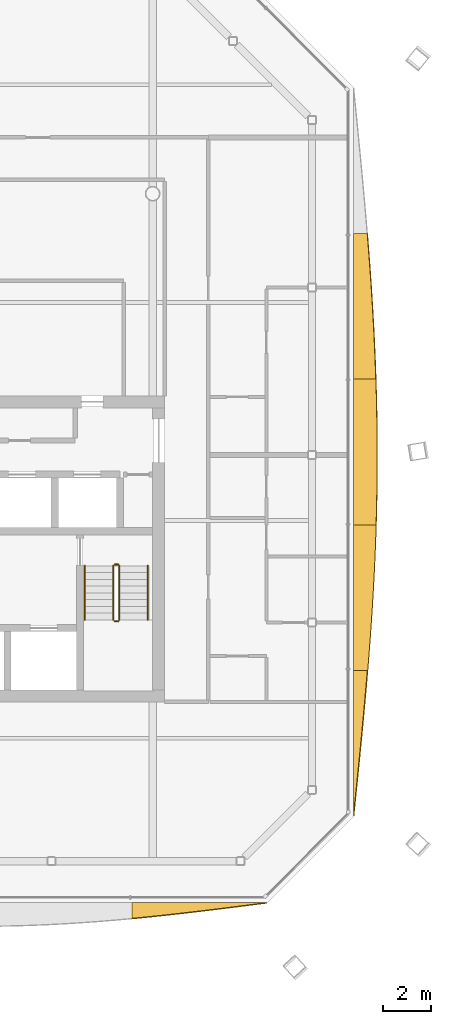
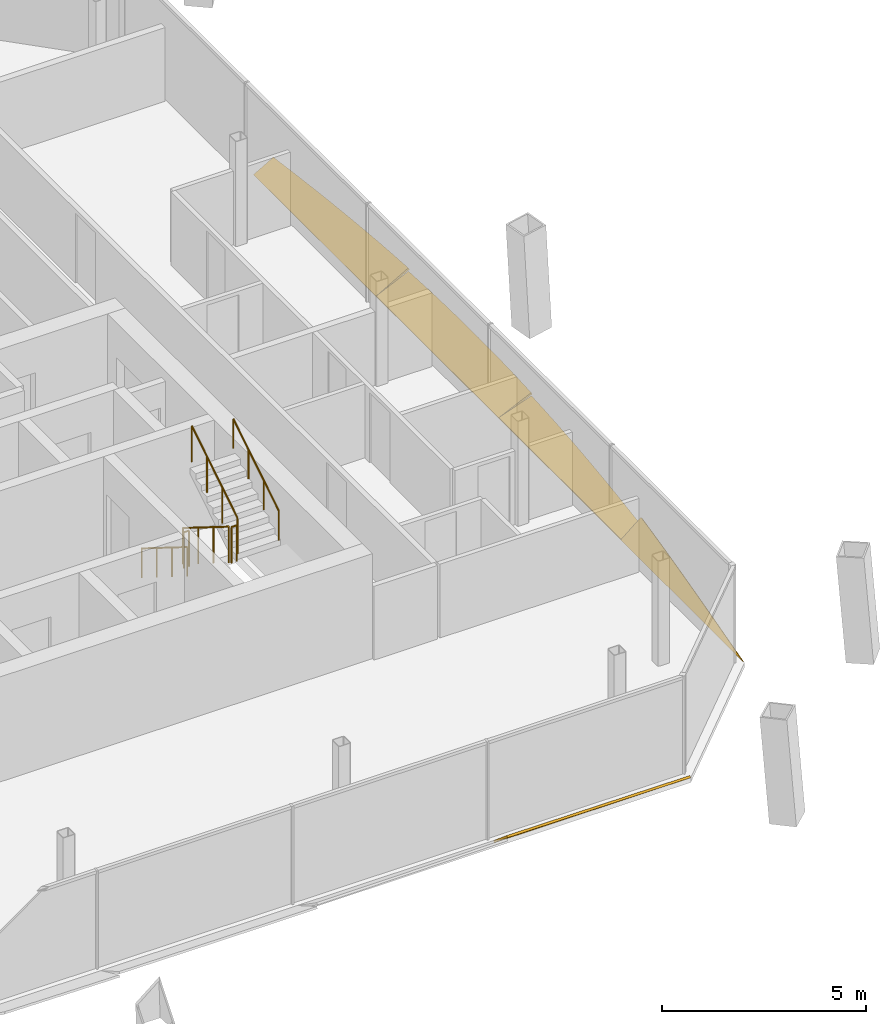
# One storey, part 19 of 20: 6 railings, 5 shading devices.
"""IFC4 building model written with IfcOpenShell, lengths in metres."""

from ifc_helpers import new_model, si_unit, direction, frame, origin, origin_2d, place, context, subcontext, project, spatial, polyline, circle, outline, extrude, material, layer, layer_set, type_object, element, save


model = new_model("IFC4")

# Units and contexts
model_context = context("Model", 3, precision=1e-05, world=origin(), true_north=direction((0.0, 1.0)))
body_context = subcontext(model_context, "Body", "Model", "MODEL_VIEW")
ifc_project = project(units=[si_unit("LENGTHUNIT", "METRE"), si_unit("AREAUNIT", "SQUARE_METRE"), si_unit("VOLUMEUNIT", "CUBIC_METRE"), si_unit("PLANEANGLEUNIT", "RADIAN"), si_unit("MASSUNIT", "GRAM", prefix="KILO")], contexts=[model_context])

# Site, building, storey
site_placement = place(None, origin())
site = spatial("IfcSite", under=ifc_project, at=site_placement, CompositionType="ELEMENT")
building_placement = place(site_placement, origin())
building = spatial("IfcBuilding", under=site, at=building_placement, Name="Tskaro Facet Tower", CompositionType="ELEMENT")
storey_placement = place(building_placement, frame((0.0, 0.0, 194.25)))
storey = spatial("IfcBuildingStorey", under=building, at=storey_placement, Name="L49", CompositionType="ELEMENT", Elevation=194.25)

# Shading devices
ifc_material_1 = material(Name="Bronze anodised aluminium 6063-T6", Category="aluminium")
ifc_layer = layer(ifc_material_1, 0.06005859375, Name="Bronze anodised aluminium 6063-T6")
ifc_layer_set = layer_set([ifc_layer], Name="Bronze anodised aluminium 6063-T6")
shading_device_type = type_object("IfcShadingDeviceType", Name="Bronze sun blade (FN1)", PredefinedType="USERDEFINED", material=ifc_layer_set)
shading_device_1_placement = place(storey_placement, frame((8.14794921875, -20.29150390625, 0.0458984375), z_axis=(-1.6083791e-05, 0.64297627639, 0.76588609319), x_axis=(0.999999999871, 1.0341496e-05, 1.2318352e-05)))
element("IfcShadingDevice", 1, at=shading_device_1_placement, inside=storey, type_object=shading_device_type, Name="Fin blade south 6", ObjectType="FIN", PredefinedType="USERDEFINED", context=body_context, shape_type="SweptSolid", body=[
    extrude(outline(polyline([(0.0, 0.0), (5.573974608654039, 9.442680282599087e-21), (4.877197266241991, -0.1160969918354), (4.180664060482241, -0.23134908596181653), (3.4838867197413363, -0.34466438620177986), (2.787109374656754, -0.4548840415863099), (2.090332032802834, -0.5614471003869238), (1.393554684192081, -0.6631947116346415), (0.6967773444558036, -0.75934893241199), (-1.443048767792999e-09, -0.8491248795689774), (0.0, 0.0)])), origin(), (0.0, 0.0, -1.0), 0.06005859375),
])
shading_device_2_placement = place(storey_placement, frame((17.29150390625, -16.721923828125, 0.0458984375), z_axis=(-0.64299329503, 2.2040171e-05, 0.76587180524), x_axis=(1.4171682e-05, 0.999999999757, -1.6879945e-05)))
element("IfcShadingDevice", 2, at=shading_device_2_placement, inside=storey, type_object=shading_device_type, Name="Fin blade east 1", ObjectType="FIN", PredefinedType="USERDEFINED", context=body_context, shape_type="SweptSolid", body=[
    extrude(outline(polyline([(0.0, 0.0), (6.019042967288068, 0.0), (6.019042970074767, -0.7515648067301344), (5.35034179861874, -0.6779180571404384), (4.681640626193722, -0.6008016958524134), (4.012695311513572, -0.5205596840722635), (3.3439941420867423, -0.43790994384868553), (2.6750488249613085, -0.3529794563303481), (2.0063476558878803, -0.26617218199603315), (1.3374023405921398, -0.17830302440681728), (0.6687011679049312, -0.08940198319898937), (0.0, 0.0)])), origin(), (0.0, 0.0, -1.0), 0.06005859375),
])
shading_device_3_placement = place(storey_placement, frame((17.3095703125, -10.702880859375, 0.056396484375), z_axis=(-0.342065634925, 5.178113e-06, 0.939676061937), x_axis=(1.771254e-06, 0.999999999987, -4.865748e-06)))
element("IfcShadingDevice", 3, at=shading_device_3_placement, inside=storey, type_object=shading_device_type, Name="Fin blade east 2", ObjectType="FIN", PredefinedType="USERDEFINED", context=body_context, shape_type="SweptSolid", body=[
    extrude(outline(polyline([(0.0, 0.0), (6.019287109294303, 0.0), (6.01928710985869, -0.985952953353197), (5.350585937410209, -0.9620910481647214), (4.681640624435949, -0.9332857092307525), (4.0129394530507785, -0.8999957627534139), (3.3439941403843387, -0.8620753077495467), (2.675292968551495, -0.8199831704212741), (2.006591796927249, -0.7737193507685964), (1.3376464841311142, -0.7235967740104782), (0.6689453130334452, -0.6697613411300783), (4.408298249179879e-10, -0.6126094894642642), (0.0, 0.0)])), origin(), (0.0, 0.0, -1.0), 0.06005859375),
])
shading_device_4_placement = place(storey_placement, frame((17.3046875, -4.68359375, 0.054443359375), z_axis=(-0.422588817673, -3.775496e-06, 0.906321516441), x_axis=(-1.595482e-06, 0.999999999993, 3.421813e-06)))
element("IfcShadingDevice", 4, at=shading_device_4_placement, inside=storey, type_object=shading_device_type, Name="Fin blade east 3", ObjectType="FIN", PredefinedType="USERDEFINED", context=body_context, shape_type="SweptSolid", body=[
    extrude(outline(polyline([(0.0, 0.0), (6.019287109332099, 0.0), (6.019287109135323, -1.012288053558845), (5.3503417963882605, -1.0338069763053759), (4.681640624983885, -1.0502964021393322), (4.012695312447277, -1.061874429864125), (3.3439941404179527, -1.0683197895782774), (2.8291015628552234, -1.0697356523798556), (2.6752929682709157, -1.0696324812817901), (2.006347656606093, -1.065694406171252), (1.3376464846131508, -1.0565204919520084), (0.6687011722670195, -1.0419926398206485), (-4.072304682639525e-10, -1.022228948580583), (0.0, 0.0)])), origin(), (0.0, 0.0, -1.0), 0.06005859375),
])
shading_device_5_placement = place(storey_placement, frame((17.300048828125, 1.335693359375, 0.052001953125), z_axis=(-0.499956333567, 5.816933e-06, 0.866050613124), x_axis=(2.908213e-06, 0.999999999983, -5.037758e-06)))
element("IfcShadingDevice", 5, at=shading_device_5_placement, inside=storey, type_object=shading_device_type, Name="Fin blade east 4", ObjectType="FIN", PredefinedType="USERDEFINED", context=body_context, shape_type="SweptSolid", body=[
    extrude(outline(polyline([(0.0, 0.0), (6.019042968648168, 0.0), (6.019042968062515, -0.6512496741552445), (5.350341796531426, -0.7123892065644275), (4.681396484464635, -0.770137063755668), (4.012695313112138, -0.8244932457289664), (3.343994140948819, -0.8747013784186508), (2.675048827349685, -0.9207614618247213), (2.006347656024569, -0.9624293766436739), (1.3374023437835458, -0.9996157443892875), (0.668701172396515, -1.0319870672718365), (-7.014530090665642e-10, -1.0594539668051004), (0.0, 0.0)])), origin(), (0.0, 0.0, -1.0), 0.06005859375),
])

# Railings
ifc_material_2 = material(Name="Stainless steel", Category="steel")
railing_type_1 = type_object("IfcRailingType", Name="RL-GUARD-1100", PredefinedType="GUARDRAIL", material=ifc_material_2)
railing_1_placement = place(storey_placement, frame((7.375, -6.375, 0.175048828125)))
element("IfcRailing", 6, at=railing_1_placement, inside=storey, type_object=railing_type_1, Name="L49 ST-2 stair guard 1", PredefinedType="GUARDRAIL", context=body_context, shape_type="SweptSolid", body=[
    extrude(circle(Radius=0.02392578125, at=origin_2d()), frame((0.0, 0.0, 1.076171875), z_axis=(0.0, -0.848013881152, 0.529974015752), x_axis=(1.0, 0.0, 0.0)), (0.0, 0.0, 1.0), 2.641357421875),
    extrude(circle(Radius=0.02099609375, at=origin_2d()), origin(), (0.0, 0.0, 1.0), 1.052001953125),
    extrude(circle(Radius=0.02099609375, at=origin_2d()), frame((0.0, -0.74658203125, 0.466552734375)), (0.0, 0.0, 1.0), 1.052001953125),
    extrude(circle(Radius=0.02099609375, at=origin_2d()), frame((0.0, -1.493408203125, 0.933349609375)), (0.0, 0.0, 1.0), 1.052001953125),
    extrude(circle(Radius=0.02099609375, at=origin_2d()), frame((0.0, -2.239990234375, 1.39990234375)), (0.0, 0.0, 1.0), 1.052001953125),
])
railing_2_placement = place(storey_placement, frame((7.425048828125, -8.6650390625, 1.574951171875)))
element("IfcRailing", 7, at=railing_2_placement, inside=storey, type_object=railing_type_1, Name="L49 ST-2 stair guard 2", PredefinedType="GUARDRAIL", context=body_context, shape_type="SweptSolid", body=[
    extrude(circle(Radius=0.02392578125, at=origin_2d()), frame((0.0, 0.0, 1.076171875), z_axis=(1.0, 0.0, 0.0), x_axis=(0.0, 1.0, 0.0)), (0.0, 0.0, 1.0), 0.14990234375),
    extrude(circle(Radius=0.02099609375, at=origin_2d()), origin(), (0.0, 0.0, 1.0), 1.052001953125),
    extrude(circle(Radius=0.02099609375, at=origin_2d()), frame((0.14990234375, 0.0, 0.0)), (0.0, 0.0, 1.0), 1.052001953125),
])
railing_3_placement = place(storey_placement, frame((7.625, -8.614990234375, 1.75)))
element("IfcRailing", 8, at=railing_3_placement, inside=storey, type_object=railing_type_1, Name="L49 ST-2 stair guard 3", PredefinedType="GUARDRAIL", context=body_context, shape_type="SweptSolid", body=[
    extrude(circle(Radius=0.02392578125, at=origin_2d()), frame((0.0, 0.0, 1.076171875), z_axis=(0.0, 0.848013881152, 0.529974015752), x_axis=(-1.0, 0.0, 0.0)), (0.0, 0.0, 1.0), 2.641357421875),
    extrude(circle(Radius=0.02099609375, at=origin_2d()), origin(), (0.0, 0.0, 1.0), 1.052001953125),
    extrude(circle(Radius=0.02099609375, at=origin_2d()), frame((0.0, 0.74658203125, 0.466552734375)), (0.0, 0.0, 1.0), 1.052001953125),
    extrude(circle(Radius=0.02099609375, at=origin_2d()), frame((0.0, 1.493408203125, 0.933349609375)), (0.0, 0.0, 1.0), 1.052001953125),
    extrude(circle(Radius=0.02099609375, at=origin_2d()), frame((0.0, 2.239990234375, 1.39990234375)), (0.0, 0.0, 1.0), 1.052001953125),
])
railing_4_placement = place(storey_placement, frame((7.425048828125, -6.324951171875, 0.0)))
element("IfcRailing", 9, at=railing_4_placement, inside=storey, type_object=railing_type_1, Name="L49 ST-2 stair guard 4", PredefinedType="GUARDRAIL", context=body_context, shape_type="SweptSolid", body=[
    extrude(circle(Radius=0.02392578125, at=origin_2d()), frame((0.0, 0.0, 1.076171875), z_axis=(1.0, 0.0, 0.0), x_axis=(0.0, 1.0, 0.0)), (0.0, 0.0, 1.0), 0.14990234375),
    extrude(circle(Radius=0.02099609375, at=origin_2d()), origin(), (0.0, 0.0, 1.0), 1.052001953125),
    extrude(circle(Radius=0.02099609375, at=origin_2d()), frame((0.14990234375, 0.0, 0.0)), (0.0, 0.0, 1.0), 1.052001953125),
])
railing_type_2 = type_object("IfcRailingType", Name="RL-HANDRAIL-900", PredefinedType="HANDRAIL", material=ifc_material_2)
railing_5_placement = place(storey_placement, frame((6.199951171875, -6.375, 0.175048828125)))
element("IfcRailing", 10, at=railing_5_placement, inside=storey, type_object=railing_type_2, Name="L49 ST-2 stair handrail 1", PredefinedType="HANDRAIL", context=body_context, shape_type="SweptSolid", body=[
    extrude(circle(Radius=0.02392578125, at=origin_2d()), frame((0.0, 0.0, 0.8759765625), z_axis=(0.0, -0.848013881152, 0.529974015752), x_axis=(1.0, 0.0, 0.0)), (0.0, 0.0, 1.0), 2.641357421875),
    extrude(circle(Radius=0.02099609375, at=origin_2d()), origin(), (0.0, 0.0, 1.0), 0.851806640625),
    extrude(circle(Radius=0.02099609375, at=origin_2d()), frame((0.0, -0.74658203125, 0.466552734375)), (0.0, 0.0, 1.0), 0.851806640625),
    extrude(circle(Radius=0.02099609375, at=origin_2d()), frame((0.0, -1.493408203125, 0.933349609375)), (0.0, 0.0, 1.0), 0.851806640625),
    extrude(circle(Radius=0.02099609375, at=origin_2d()), frame((0.0, -2.239990234375, 1.39990234375)), (0.0, 0.0, 1.0), 0.851806640625),
])
railing_6_placement = place(storey_placement, frame((8.800048828125, -8.614990234375, 1.75)))
element("IfcRailing", 11, at=railing_6_placement, inside=storey, type_object=railing_type_2, Name="L49 ST-2 stair handrail 2", PredefinedType="HANDRAIL", context=body_context, shape_type="SweptSolid", body=[
    extrude(circle(Radius=0.02392578125, at=origin_2d()), frame((0.0, 0.0, 0.8759765625), z_axis=(0.0, 0.848013881152, 0.529974015752), x_axis=(-1.0, 0.0, 0.0)), (0.0, 0.0, 1.0), 2.641357421875),
    extrude(circle(Radius=0.02099609375, at=origin_2d()), origin(), (0.0, 0.0, 1.0), 0.851806640625),
    extrude(circle(Radius=0.02099609375, at=origin_2d()), frame((0.0, 0.74658203125, 0.466552734375)), (0.0, 0.0, 1.0), 0.851806640625),
    extrude(circle(Radius=0.02099609375, at=origin_2d()), frame((0.0, 1.493408203125, 0.933349609375)), (0.0, 0.0, 1.0), 0.851806640625),
    extrude(circle(Radius=0.02099609375, at=origin_2d()), frame((0.0, 2.239990234375, 1.39990234375)), (0.0, 0.0, 1.0), 0.851806640625),
])

save(model, "model.ifc")
